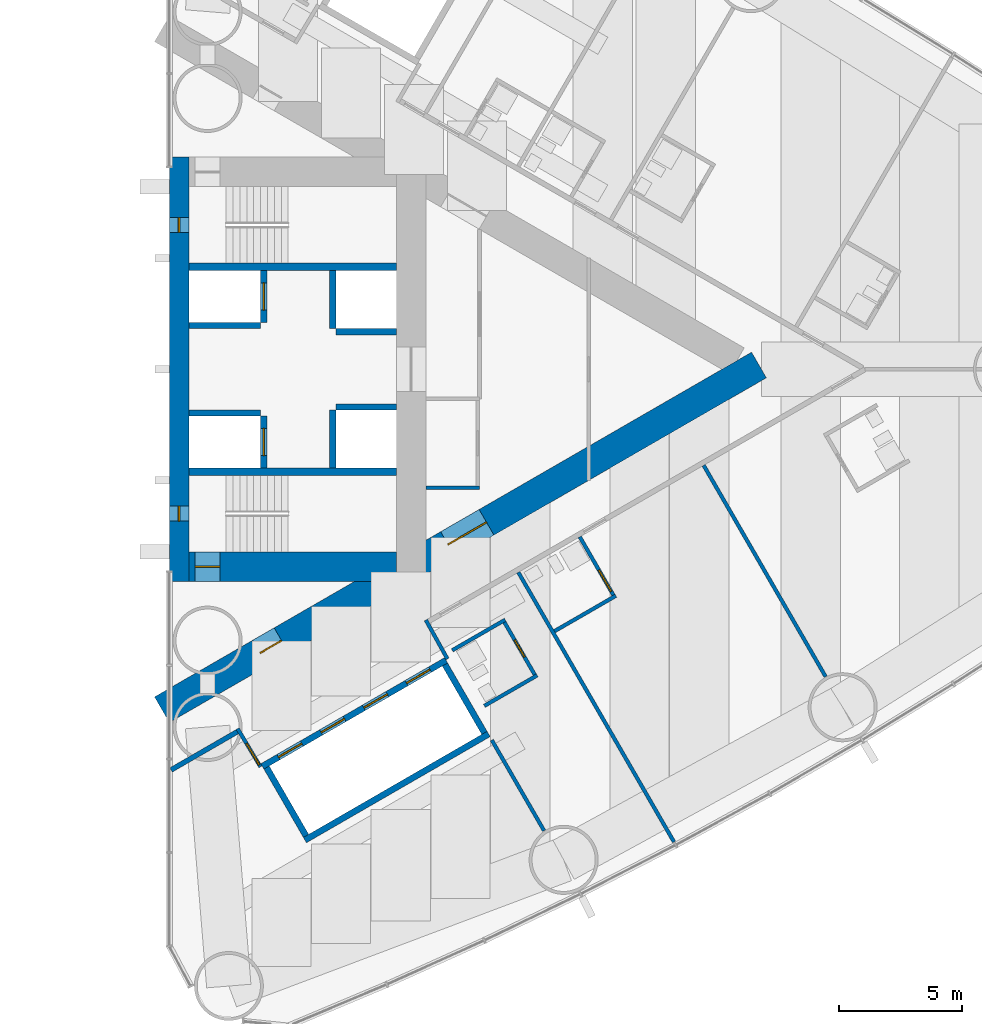
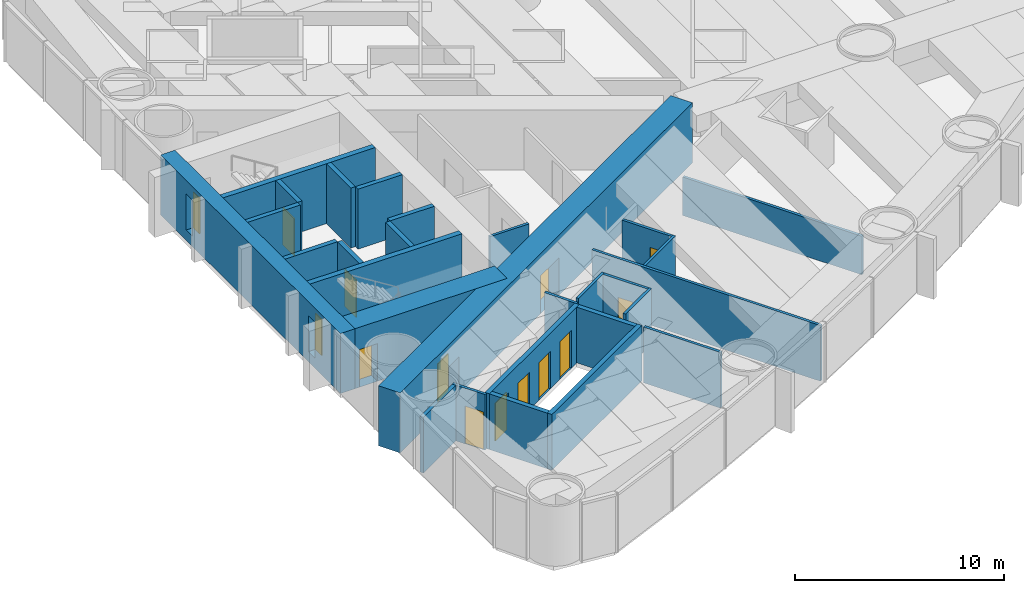
# One storey, part 13 of 18: 29 walls, 12 doors, 2 windows, 14 openings.
"""IFC4 building model written with IfcOpenShell, lengths in metres."""

import ifcopenshell
import ifcopenshell.guid

model = None  # the IFC model being written
_history = None  # IfcOwnerHistory: only IFC2X3 demands one
_inside = {}  # id of a spatial element -> (the spatial element, [elements in it])
_under = {}  # id of a project, library or spatial element -> (it, [spatial elements below it])
_declared = {}  # id of a project -> (the project, [libraries it declares])
_typed = {}  # id of a type object -> (the type object, [elements of that type])
_made_of = {}  # id of a material, layer set ... -> (it, [elements and type objects made of it])


def new_model(schema):
    """Start an empty IFC model of exactly this schema.

    Asked for "IFC4X3", IfcOpenShell would pick the latest addendum, in which some entities
    have other attributes; the version numbers below select the first issue.
    IFC2X3 requires an IfcOwnerHistory on every rooted entity: one is made here for all.
    """
    global model, _history
    if schema == "IFC4X3":
        model = ifcopenshell.file(schema_version=(4, 3, 0, 0))
    else:
        model = ifcopenshell.file(schema=schema)
    _inside.clear()
    _under.clear()
    _declared.clear()
    _typed.clear()
    _made_of.clear()
    _history = None
    if model.schema == "IFC2X3":
        org = make("IfcOrganization", Name="unknown")
        user = make(
            "IfcPersonAndOrganization",
            ThePerson=make("IfcPerson", FamilyName="unknown"),
            TheOrganization=org,
        )
        app = make(
            "IfcApplication",
            ApplicationDeveloper=org,
            Version="unknown",
            ApplicationFullName="unknown",
            ApplicationIdentifier="unknown",
        )
        _history = make(
            "IfcOwnerHistory",
            OwningUser=user,
            OwningApplication=app,
            ChangeAction="ADDED",
            CreationDate=0,
        )
    return model


def make(cls, **values):
    """One entity of the class cls with the attributes given. An attribute that is None is left unset."""
    return model.create_entity(
        cls, **{name: value for name, value in values.items() if value is not None}
    )


def rooted(cls, **values):
    """An entity with a GlobalId (a new one), such as an element, a storey or a relation."""
    return make(cls, GlobalId=ifcopenshell.guid.new(), OwnerHistory=_history, **values)


def si_unit(unit_type, name, prefix=None):
    """IfcSIUnit, for example si_unit("LENGTHUNIT", "METRE", prefix="MILLI")."""
    return make("IfcSIUnit", UnitType=unit_type, Prefix=prefix, Name=name)


def assignment(units):
    """IfcUnitAssignment: the units of a project."""
    return None if units is None else make("IfcUnitAssignment", Units=units)


def point(xyz):
    """IfcCartesianPoint."""
    return None if xyz is None else make("IfcCartesianPoint", Coordinates=xyz)


def direction(xyz):
    """IfcDirection."""
    return None if xyz is None else make("IfcDirection", DirectionRatios=xyz)


def frame(location, z_axis=None, x_axis=None):
    """IfcAxis2Placement3D, a coordinate frame: its origin and axes. An axis left out is left unset."""
    return make(
        "IfcAxis2Placement3D",
        Location=point(location),
        Axis=direction(z_axis),
        RefDirection=direction(x_axis),
    )


def frame_2d(location, x_axis=None):
    """IfcAxis2Placement2D, a coordinate frame in the plane: its origin and x axis."""
    return make(
        "IfcAxis2Placement2D", Location=point(location), RefDirection=direction(x_axis)
    )


def origin():
    """The frame at (0, 0, 0) with its axes left unset."""
    return frame((0.0, 0.0, 0.0))


def place(relative_to, where):
    """IfcLocalPlacement: puts the frame where relative to a parent placement (None: the world)."""
    return make(
        "IfcLocalPlacement", PlacementRelTo=relative_to, RelativePlacement=where
    )


def context(
    kind, dimensions, precision=None, world=None, true_north=None, identifier=None
):
    """IfcGeometricRepresentationContext, for example the 3D "Model" context."""
    return make(
        "IfcGeometricRepresentationContext",
        ContextIdentifier=identifier,
        ContextType=kind,
        CoordinateSpaceDimension=dimensions,
        Precision=precision,
        WorldCoordinateSystem=world,
        TrueNorth=true_north,
    )


def subcontext(parent, identifier, kind, view, scale=None):
    """IfcGeometricRepresentationSubContext, for example "Body" below "Model"."""
    return make(
        "IfcGeometricRepresentationSubContext",
        ContextIdentifier=identifier,
        ContextType=kind,
        ParentContext=parent,
        TargetScale=scale,
        TargetView=view,
    )


def project(units=None, contexts=None):
    """IfcProject with its units and contexts."""
    return rooted(
        "IfcProject",
        Name="project",
        RepresentationContexts=contexts,
        UnitsInContext=assignment(units),
    )


def spatial(cls, under=None, at=None, **own):
    """A site, building, storey or space (cls), placed at a placement, below another one or the project."""
    s = rooted(cls, ObjectPlacement=at, **own)
    if under is not None:
        _under.setdefault(under.id(), (under, []))[1].append(s)
    return s


def profile(cls, at=None, kind="AREA", **sizes):
    """A parametric profile (cls). Its sizes go by their IFC names, for example OverallWidth=200.0."""
    return make(cls, ProfileType=kind, Position=at, **sizes)


def rectangle(**sizes):
    """IfcRectangleProfileDef."""
    return profile("IfcRectangleProfileDef", **sizes)


def extrude(swept, where, along, depth):
    """IfcExtrudedAreaSolid: the profile swept, set in the frame where, extruded along a direction by depth."""
    return make(
        "IfcExtrudedAreaSolid",
        SweptArea=swept,
        Position=where,
        ExtrudedDirection=direction(along),
        Depth=depth,
    )


def shape(context_of_items, identifier, shape_type, items):
    """IfcShapeRepresentation: the items that make up one representation, for example the "Body"."""
    return make(
        "IfcShapeRepresentation",
        ContextOfItems=context_of_items,
        RepresentationIdentifier=identifier,
        RepresentationType=shape_type,
        Items=items,
    )


def material(Name=None, Category=None):
    """IfcMaterial."""
    return make("IfcMaterial", Name=Name, Category=Category)


def layer(
    of_material, thickness, ventilated=None, Name=None, Category=None, Priority=None
):
    """IfcMaterialLayer: one layer of a wall or slab, of a material (None: an air gap)."""
    return make(
        "IfcMaterialLayer",
        Material=of_material,
        LayerThickness=thickness,
        IsVentilated=ventilated,
        Name=Name,
        Category=Category,
        Priority=Priority,
    )


def layer_set(layers, Name=None):
    """IfcMaterialLayerSet."""
    return make("IfcMaterialLayerSet", MaterialLayers=layers, LayerSetName=Name)


def made_of(thing, what):
    """Note that an element or type object is made of a material, layer set ...; save() writes the relation."""
    if what is not None:
        _made_of.setdefault(what.id(), (what, []))[1].append(thing)
    return thing


def type_object(cls, material=None, **own):
    """A type object (cls), such as IfcWallType, which elements share."""
    return made_of(rooted(cls, **own), material)


def element(
    cls,
    number,
    at=None,
    inside=None,
    cuts=None,
    type_object=None,
    material=None,
    context=None,
    identifier="Body",
    shape_type=None,
    held_by="IfcProductDefinitionShape",
    body=None,
    shapes=None,
    **own,
):
    """One element of the class cls, such as IfcWall. Its Tag is "e" and its number.

    at: its placement. inside: the storey or other place that contains it. cuts: it is an
    opening in that element (IfcRelVoidsElement). A single representation is given by context,
    identifier, shape_type and body (its items); several are given by shapes. held_by: the class
    of the entity that holds the representations. save() writes the other relations.
    """
    e = rooted(cls, Tag="e%d" % number, ObjectPlacement=at, **own)
    if body is not None:
        shapes = [shape(context, identifier, shape_type, body)]
    if shapes is not None:
        e.Representation = make(held_by, Representations=shapes)
    if inside is not None:
        _inside.setdefault(inside.id(), (inside, []))[1].append(e)
    if cuts is not None:
        rooted(
            "IfcRelVoidsElement", RelatingBuildingElement=cuts, RelatedOpeningElement=e
        )
    if type_object is not None:
        _typed.setdefault(type_object.id(), (type_object, []))[1].append(e)
    return made_of(e, material)


def fill(opening, filler):
    """IfcRelFillsElement: the door or window that sits in an opening."""
    return rooted(
        "IfcRelFillsElement",
        RelatingOpeningElement=opening,
        RelatedBuildingElement=filler,
    )


def aggregate(whole, parts):
    """IfcRelAggregates: a whole, such as a stair, and the parts it consists of."""
    return rooted("IfcRelAggregates", RelatingObject=whole, RelatedObjects=parts)


def save(model, path):
    """Write the relations noted so far, then the file.

    IfcRelAggregates (storeys below a building ...), IfcRelContainedInSpatialStructure (elements
    in a storey), IfcRelDefinesByType, IfcRelAssociatesMaterial and IfcRelDeclares: one each for
    every whole, place, type object, material and project.
    """
    for whole, parts in _under.values():
        aggregate(whole, parts)
    for where, things in _inside.values():
        rooted(
            "IfcRelContainedInSpatialStructure",
            RelatedElements=things,
            RelatingStructure=where,
        )
    for kind, things in _typed.values():
        rooted("IfcRelDefinesByType", RelatedObjects=things, RelatingType=kind)
    for what, things in _made_of.values():
        rooted("IfcRelAssociatesMaterial", RelatedObjects=things, RelatingMaterial=what)
    for by, libraries in _declared.values():
        rooted("IfcRelDeclares", RelatingContext=by, RelatedDefinitions=libraries)
    model.write(path)


model = new_model("IFC4")

# Units and contexts
model_context = context("Model", 3, precision=1e-05, world=origin(), true_north=direction((0.0, 1.0)))
body_context = subcontext(model_context, "Body", "Model", "MODEL_VIEW")
ifc_project = project(units=[si_unit("LENGTHUNIT", "METRE"), si_unit("AREAUNIT", "SQUARE_METRE"), si_unit("VOLUMEUNIT", "CUBIC_METRE"), si_unit("PLANEANGLEUNIT", "RADIAN"), si_unit("MASSUNIT", "GRAM", prefix="KILO")], contexts=[model_context])

# Site, building, storey
site_placement = place(None, origin())
site = spatial("IfcSite", under=ifc_project, at=site_placement, CompositionType="ELEMENT")
building_placement = place(site_placement, origin())
building = spatial("IfcBuilding", under=site, at=building_placement, Name="Lancet Gate Hotel", CompositionType="ELEMENT")
storey_placement = place(building_placement, frame((0.0, 0.0, 46.0)))
storey = spatial("IfcBuildingStorey", under=building, at=storey_placement, Name="L11", CompositionType="ELEMENT", Elevation=46.0)

# Wall
ifc_material_1 = material(Name="Moisture resistant board partition")
ifc_layer_1 = layer(ifc_material_1, 0.14990234375)
ifc_layer_set_1 = layer_set([ifc_layer_1], Name="Bathroom wall 150")
wall_type_1 = type_object("IfcWallType", Name="Bathroom wall 150", PredefinedType="PARTITIONING", material=ifc_layer_set_1)
wall_1_placement = place(storey_placement, frame((43.1123046875, -10.617431640625, 0.0), z_axis=(0.0, 0.0, 1.0), x_axis=(0.866018712932, 0.500011588718, 0.0)))
element("IfcWall", 1, at=wall_1_placement, inside=storey, type_object=wall_type_1, Name="T2 bathroom wall 150 L11", PredefinedType="PARTITIONING", context=body_context, shape_type="SweptSolid", body=[
    extrude(rectangle(XDim=2.875, YDim=0.14990234375, at=frame_2d((1.4375, 0.0))), origin(), (0.0, 0.0, 1.0), 3.25),
])

# Wall, opening, door
wall_2_placement = place(storey_placement, frame((44.13720703125, -6.79248046875, 0.0), z_axis=(0.0, 0.0, 1.0), x_axis=(0.49994636267, -0.866056369097, 0.0)))
wall_2 = element("IfcWall", 2, at=wall_2_placement, inside=storey, type_object=wall_type_1, Name="T2 bathroom wall 150 L11", PredefinedType="PARTITIONING", context=body_context, shape_type="SweptSolid", body=[
    extrude(rectangle(XDim=2.800048828125, YDim=0.14990234375, at=frame_2d((1.39990234375, 0.0))), origin(), (0.0, 0.0, 1.0), 3.25),
])
opening_1_placement = place(wall_2_placement, frame((1.550048828125, 0.0, 0.0)))
opening_1 = element("IfcOpeningElement", 3, at=opening_1_placement, cuts=wall_2, Name="Opening 1154-B", PredefinedType="OPENING", context=body_context, shape_type="SweptSolid", body=[
    extrude(rectangle(XDim=1.0, YDim=2.199951171875, at=frame_2d((0.5, 1.10009765625))), frame((0.0, 0.0849609375, 0.0), z_axis=(0.0, -1.0, 0.0), x_axis=(1.0, 0.0, 0.0)), (0.0, 0.0, 1.0), 0.169921875),
])
ifc_material_2 = material(Name="Timber door set", Category="wood")
door_type_1 = type_object("IfcDoorType", Name="Accessible en-suite door 1000", OperationType="SINGLE_SWING_RIGHT", PredefinedType="DOOR", material=ifc_material_2)
door_1_placement = place(opening_1_placement, origin())
door_1 = element("IfcDoor", 4, at=door_1_placement, inside=storey, type_object=door_type_1, Name="1154-B", OperationType="SINGLE_SWING_RIGHT", OverallHeight=2.199951171875, OverallWidth=1.0, PredefinedType="DOOR", context=body_context, shape_type="SweptSolid", body=[
    extrude(rectangle(XDim=1.0, YDim=2.199951171875, at=frame_2d((0.5, 1.10009765625))), frame((0.0, 0.02490234375, 0.0), z_axis=(0.0, -1.0, 0.0), x_axis=(1.0, 0.0, 0.0)), (0.0, 0.0, 1.0), 0.050048828125),
])
fill(opening_1, door_1)

# Wall
wall_3_placement = place(storey_placement, frame((40.269775390625, -13.644287109375, 0.0), z_axis=(0.0, 0.0, 1.0), x_axis=(0.866031185235, 0.4999899861, 0.0)))
element("IfcWall", 5, at=wall_3_placement, inside=storey, type_object=wall_type_1, Name="T2 bathroom wall 150 L11", PredefinedType="PARTITIONING", context=body_context, shape_type="SweptSolid", body=[
    extrude(rectangle(XDim=2.47509765625, YDim=0.14990234375, at=frame_2d((1.237548828125, 0.0))), origin(), (0.0, 0.0, 1.0), 3.25),
])

# Wall, opening, door
wall_4_placement = place(storey_placement, frame((41.04833984375, -10.192626953125, 0.0), z_axis=(0.0, 0.0, 1.0), x_axis=(0.500047596559, -0.865997922154, 0.0)))
wall_4 = element("IfcWall", 6, at=wall_4_placement, inside=storey, type_object=wall_type_1, Name="T2 bathroom wall 150 L11", PredefinedType="PARTITIONING", context=body_context, shape_type="SweptSolid", body=[
    extrude(rectangle(XDim=2.599853515625, YDim=0.14990234375, at=frame_2d((1.2998046875, 0.0))), origin(), (0.0, 0.0, 1.0), 3.25),
])
opening_2_placement = place(wall_4_placement, frame((0.89990234375, 0.0, 0.0)))
opening_2 = element("IfcOpeningElement", 7, at=opening_2_placement, cuts=wall_4, Name="Opening 1153-B", PredefinedType="OPENING", context=body_context, shape_type="SweptSolid", body=[
    extrude(rectangle(XDim=0.800048828125, YDim=2.199951171875, at=frame_2d((0.39990234375, 1.10009765625))), frame((0.0, 0.0849609375, 0.0), z_axis=(0.0, -1.0, 0.0), x_axis=(1.0, 0.0, 0.0)), (0.0, 0.0, 1.0), 0.169921875),
])
ifc_material_3 = material(Name="Timber door set", Category="wood")
door_type_2 = type_object("IfcDoorType", Name="Bathroom door 800", OperationType="SINGLE_SWING_RIGHT", PredefinedType="DOOR", material=ifc_material_3)
door_2_placement = place(opening_2_placement, origin())
door_2 = element("IfcDoor", 8, at=door_2_placement, inside=storey, type_object=door_type_2, Name="1153-B", OperationType="SINGLE_SWING_RIGHT", OverallHeight=2.199951171875, OverallWidth=0.800048828125, PredefinedType="DOOR", context=body_context, shape_type="SweptSolid", body=[
    extrude(rectangle(XDim=0.800048828125, YDim=2.199951171875, at=frame_2d((0.39990234375, 1.10009765625))), frame((0.0, 0.02490234375, 0.0), z_axis=(0.0, -1.0, 0.0), x_axis=(1.0, 0.0, 0.0)), (0.0, 0.0, 1.0), 0.050048828125),
])
fill(opening_2, door_2)

# Wall
wall_5_placement = place(storey_placement, frame((38.9697265625, -11.392578125, 0.0), z_axis=(0.0, 0.0, 1.0), x_axis=(0.866031185235, 0.4999899861, 0.0)))
element("IfcWall", 9, at=wall_5_placement, inside=storey, type_object=wall_type_1, Name="T2 bathroom wall 150 L11", PredefinedType="PARTITIONING", context=body_context, shape_type="SweptSolid", body=[
    extrude(rectangle(XDim=2.47509765625, YDim=0.14990234375, at=frame_2d((1.237548828125, 0.0))), origin(), (0.0, 0.0, 1.0), 3.25),
])

# Wall, openings, doors
ifc_material_4 = material(Name="Concrete C70/85", Category="concrete")
ifc_layer_2 = layer(ifc_material_4, 1.199951171875)
ifc_layer_set_2 = layer_set([ifc_layer_2], Name="Buttress wall 1200")
wall_type_2 = type_object("IfcWallType", Name="Buttress wall 1200", PredefinedType="SHEAR", material=ifc_layer_set_2)
wall_6_placement = place(storey_placement, frame((27.199951171875, -13.800048828125, 0.0), z_axis=(0.0, 0.0, 1.0), x_axis=(0.866027159892, 0.499996958321, 0.0)))
wall_6 = element("IfcWall", 10, at=wall_6_placement, inside=storey, type_object=wall_type_2, Name="T2 buttress wall S L11", PredefinedType="SHEAR", context=body_context, shape_type="SweptSolid", body=[
    extrude(rectangle(XDim=27.946533203125, YDim=1.199951171875, at=frame_2d((13.97314453125, 0.0))), origin(), (0.0, 0.0, 1.0), 3.5),
])
opening_3_placement = place(wall_6_placement, frame((4.60009765625, 0.0, 0.0)))
opening_3 = element("IfcOpeningElement", 11, at=opening_3_placement, cuts=wall_6, Name="Opening T2-L11-LS", PredefinedType="OPENING", context=body_context, shape_type="SweptSolid", body=[
    extrude(rectangle(XDim=1.0, YDim=2.199951171875, at=frame_2d((0.5, 1.10009765625))), frame((0.0, 0.60986328125, 0.0), z_axis=(0.0, -1.0, 0.0), x_axis=(1.0, 0.0, 0.0)), (0.0, 0.0, 1.0), 1.219970703125),
])
opening_4_placement = place(wall_6_placement, frame((13.39453125, 0.0, 0.0)))
opening_4 = element("IfcOpeningElement", 12, at=opening_4_placement, cuts=wall_6, Name="Opening T2-L11-LHS", PredefinedType="OPENING", context=body_context, shape_type="SweptSolid", body=[
    extrude(rectangle(XDim=1.800048828125, YDim=2.199951171875, at=frame_2d((0.89990234375, 1.10009765625))), frame((0.0, 0.60986328125, 0.0), z_axis=(0.0, -1.0, 0.0), x_axis=(1.0, 0.0, 0.0)), (0.0, 0.0, 1.0), 1.219970703125),
])
ifc_material_5 = material(Name="Timber door set", Category="wood")
door_type_3 = type_object("IfcDoorType", Name="Lobby double door 1800", OperationType="DOUBLE_DOOR_SINGLE_SWING", PredefinedType="DOOR", material=ifc_material_5)
door_3_placement = place(opening_4_placement, origin())
door_3 = element("IfcDoor", 13, at=door_3_placement, inside=storey, type_object=door_type_3, Name="T2-L11-LHS", OperationType="DOUBLE_DOOR_SINGLE_SWING", OverallHeight=2.199951171875, OverallWidth=1.800048828125, PredefinedType="DOOR", context=body_context, shape_type="SweptSolid", body=[
    extrude(rectangle(XDim=1.800048828125, YDim=2.199951171875, at=frame_2d((0.89990234375, 1.10009765625))), frame((0.0, 0.02490234375, 0.0), z_axis=(0.0, -1.0, 0.0), x_axis=(1.0, 0.0, 0.0)), (0.0, 0.0, 1.0), 0.050048828125),
])
fill(opening_4, door_3)
ifc_material_6 = material(Name="Timber door set", Category="wood")
door_type_4 = type_object("IfcDoorType", Name="Stair lobby door 1000", OperationType="SINGLE_SWING_LEFT", PredefinedType="DOOR", material=ifc_material_6)
door_4_placement = place(opening_3_placement, origin())
door_4 = element("IfcDoor", 14, at=door_4_placement, inside=storey, type_object=door_type_4, Name="T2-L11-LS", OperationType="SINGLE_SWING_LEFT", OverallHeight=2.199951171875, OverallWidth=1.0, PredefinedType="DOOR", context=body_context, shape_type="SweptSolid", body=[
    extrude(rectangle(XDim=1.0, YDim=2.199951171875, at=frame_2d((0.5, 1.10009765625))), frame((0.0, 0.02490234375, 0.0), z_axis=(0.0, -1.0, 0.0), x_axis=(1.0, 0.0, 0.0)), (0.0, 0.0, 1.0), 0.050048828125),
])
fill(opening_3, door_4)

# Wall, opening, door
ifc_material_7 = material(Name="Concrete C70/85", Category="concrete")
ifc_layer_3 = layer(ifc_material_7, 1.199951171875)
ifc_layer_set_3 = layer_set([ifc_layer_3], Name="Core wall 1200")
wall_type_3 = type_object("IfcWallType", Name="Core wall 1200", PredefinedType="SHEAR", material=ifc_layer_set_3)
wall_7_placement = place(storey_placement, frame((28.300048828125, -8.0, 0.0), z_axis=(0.0, 0.0, 1.0), x_axis=(1.0, 0.0, 0.0)))
wall_7 = element("IfcWall", 15, at=wall_7_placement, inside=storey, type_object=wall_type_3, Name="T2 core wall side-S L11", PredefinedType="SHEAR", context=body_context, shape_type="SweptSolid", body=[
    extrude(rectangle(XDim=8.39990234375, YDim=1.199951171875, at=frame_2d((4.199951171875, 0.0))), origin(), (0.0, 0.0, 1.0), 3.5),
])
opening_5_placement = place(wall_7_placement, frame((0.25, 0.0, 0.0)))
opening_5 = element("IfcOpeningElement", 16, at=opening_5_placement, cuts=wall_7, Name="Opening T2-L11-ST1", PredefinedType="OPENING", context=body_context, shape_type="SweptSolid", body=[
    extrude(rectangle(XDim=1.0, YDim=2.199951171875, at=frame_2d((0.5, 1.10009765625))), frame((0.0, 0.60986328125, 0.0), z_axis=(0.0, -1.0, 0.0), x_axis=(1.0, 0.0, 0.0)), (0.0, 0.0, 1.0), 1.219970703125),
])
ifc_material_8 = material(Name="Timber door set", Category="wood")
door_type_5 = type_object("IfcDoorType", Name="Stair door 1000", OperationType="SINGLE_SWING_RIGHT", PredefinedType="DOOR", material=ifc_material_8)
door_5_placement = place(opening_5_placement, origin())
door_5 = element("IfcDoor", 17, at=door_5_placement, inside=storey, type_object=door_type_5, Name="T2-L11-ST1", OperationType="SINGLE_SWING_RIGHT", OverallHeight=2.199951171875, OverallWidth=1.0, PredefinedType="DOOR", context=body_context, shape_type="SweptSolid", body=[
    extrude(rectangle(XDim=1.0, YDim=2.199951171875, at=frame_2d((0.5, 1.10009765625))), frame((0.0, 0.02490234375, 0.0), z_axis=(0.0, -1.0, 0.0), x_axis=(1.0, 0.0, 0.0)), (0.0, 0.0, 1.0), 0.050048828125),
])
fill(opening_5, door_5)

# Wall, openings, windows
ifc_material_9 = material(Name="Concrete C70/85", Category="concrete")
ifc_layer_4 = layer(ifc_material_9, 0.800048828125)
ifc_layer_set_4 = layer_set([ifc_layer_4], Name="Core wall 800")
wall_type_4 = type_object("IfcWallType", Name="Core wall 800", PredefinedType="SHEAR", material=ifc_layer_set_4)
wall_8_placement = place(storey_placement, frame((27.89990234375, -8.60009765625, 0.0), z_axis=(0.0, 0.0, 1.0), x_axis=(0.0, 1.0, 0.0)))
wall_8 = element("IfcWall", 18, at=wall_8_placement, inside=storey, type_object=wall_type_4, Name="T2 core wall front L11", PredefinedType="SHEAR", context=body_context, shape_type="SweptSolid", body=[
    extrude(rectangle(XDim=17.2001953125, YDim=0.800048828125, at=frame_2d((8.60009765625, 0.0))), origin(), (0.0, 0.0, 1.0), 3.5),
])
opening_6_placement = place(wall_8_placement, frame((2.449951171875, 0.0, 0.60009765625)))
opening_6 = element("IfcOpeningElement", 19, at=opening_6_placement, cuts=wall_8, Name="Opening LW1", PredefinedType="OPENING", context=body_context, shape_type="SweptSolid", body=[
    extrude(rectangle(XDim=0.60009765625, YDim=2.10009765625, at=frame_2d((0.300048828125, 1.050048828125))), frame((0.0, 0.409912109375, 0.0), z_axis=(0.0, -1.0, 0.0), x_axis=(1.0, 0.0, 0.0)), (0.0, 0.0, 1.0), 0.820068359375),
])
opening_7_placement = place(wall_8_placement, frame((14.14990234375, 0.0, 0.60009765625)))
opening_7 = element("IfcOpeningElement", 20, at=opening_7_placement, cuts=wall_8, Name="Opening LW1", PredefinedType="OPENING", context=body_context, shape_type="SweptSolid", body=[
    extrude(rectangle(XDim=0.60009765625, YDim=2.10009765625, at=frame_2d((0.300048828125, 1.050048828125))), frame((0.0, 0.409912109375, 0.0), z_axis=(0.0, -1.0, 0.0), x_axis=(1.0, 0.0, 0.0)), (0.0, 0.0, 1.0), 0.820068359375),
])
ifc_material_10 = material(Name="Fire-resisting glazed steel window", Category="steel")
window_type = type_object("IfcWindowType", Name="Lancet window 600x2100", PartitioningType="SINGLE_PANEL", PredefinedType="WINDOW", material=ifc_material_10)
window_1_placement = place(opening_6_placement, origin())
window_1 = element("IfcWindow", 21, at=window_1_placement, inside=storey, type_object=window_type, Name="T2 stair window S L11", OverallHeight=2.10009765625, OverallWidth=0.60009765625, PartitioningType="SINGLE_PANEL", PredefinedType="WINDOW", context=body_context, shape_type="SweptSolid", body=[
    extrude(rectangle(XDim=0.60009765625, YDim=2.10009765625, at=frame_2d((0.300048828125, 1.050048828125))), frame((0.0, 0.030029296875, 0.0), z_axis=(0.0, -1.0, 0.0), x_axis=(1.0, 0.0, 0.0)), (0.0, 0.0, 1.0), 0.06005859375),
])
fill(opening_6, window_1)
window_2_placement = place(opening_7_placement, origin())
window_2 = element("IfcWindow", 22, at=window_2_placement, inside=storey, type_object=window_type, Name="T2 stair window N L11", OverallHeight=2.10009765625, OverallWidth=0.60009765625, PartitioningType="SINGLE_PANEL", PredefinedType="WINDOW", context=body_context, shape_type="SweptSolid", body=[
    extrude(rectangle(XDim=0.60009765625, YDim=2.10009765625, at=frame_2d((0.300048828125, 1.050048828125))), frame((0.0, 0.030029296875, 0.0), z_axis=(0.0, -1.0, 0.0), x_axis=(1.0, 0.0, 0.0)), (0.0, 0.0, 1.0), 0.06005859375),
])
fill(opening_7, window_2)

# Wall
ifc_material_11 = material(Name="Gypsum board partition")
ifc_layer_5 = layer(ifc_material_11, 0.199951171875)
ifc_layer_set_5 = layer_set([ifc_layer_5], Name="Corridor wall 200")
wall_type_5 = type_object("IfcWallType", Name="Corridor wall 200", PredefinedType="PARTITIONING", material=ifc_layer_set_5)
wall_9_placement = place(storey_placement, frame((27.572021484375, -16.240966796875, 0.0), z_axis=(0.0, 0.0, 1.0), x_axis=(0.866029654818, 0.499992636921, 0.0)))
element("IfcWall", 23, at=wall_9_placement, inside=storey, type_object=wall_type_5, Name="T2 corridor wall 200 L11", PredefinedType="PARTITIONING", context=body_context, shape_type="SweptSolid", body=[
    extrude(rectangle(XDim=3.15478515625, YDim=0.199951171875, at=frame_2d((1.577392578125, 0.0))), origin(), (0.0, 0.0, 1.0), 3.25),
])

# Wall, openings, doors
ifc_material_12 = material(Name="Gypsum board partition")
ifc_layer_6 = layer(ifc_material_12, 0.25)
ifc_layer_set_6 = layer_set([ifc_layer_6], Name="Lift shaft partition 250")
wall_type_6 = type_object("IfcWallType", Name="Lift shaft partition 250", PredefinedType="PARTITIONING", material=ifc_layer_set_6)
wall_10_placement = place(storey_placement, frame((31.2705078125, -16.09716796875, 0.0), z_axis=(0.0, 0.0, 1.0), x_axis=(0.86604045752, 0.499973925258, 0.0)))
wall_10 = element("IfcWall", 24, at=wall_10_placement, inside=storey, type_object=wall_type_6, Name="T2 lift shaft wall LR L11", PredefinedType="PARTITIONING", context=body_context, shape_type="SweptSolid", body=[
    extrude(rectangle(XDim=8.60009765625, YDim=0.25, at=frame_2d((4.300048828125, 0.0))), origin(), (0.0, 0.0, 1.0), 3.25),
])
opening_8_placement = place(wall_10_placement, frame((0.75, 0.0, 0.0)))
opening_8 = element("IfcOpeningElement", 25, at=opening_8_placement, cuts=wall_10, Name="Opening T2-LR1-L11", PredefinedType="OPENING", context=body_context, shape_type="SweptSolid", body=[
    extrude(rectangle(XDim=1.10009765625, YDim=2.199951171875, at=frame_2d((0.550048828125, 1.10009765625))), frame((0.0, 0.135009765625, 0.0), z_axis=(0.0, -1.0, 0.0), x_axis=(1.0, 0.0, 0.0)), (0.0, 0.0, 1.0), 0.27001953125),
])
opening_9_placement = place(wall_10_placement, frame((2.75, 0.0, 0.0)))
opening_9 = element("IfcOpeningElement", 26, at=opening_9_placement, cuts=wall_10, Name="Opening T2-LR2-L11", PredefinedType="OPENING", context=body_context, shape_type="SweptSolid", body=[
    extrude(rectangle(XDim=1.10009765625, YDim=2.199951171875, at=frame_2d((0.550048828125, 1.10009765625))), frame((0.0, 0.135009765625, 0.0), z_axis=(0.0, -1.0, 0.0), x_axis=(1.0, 0.0, 0.0)), (0.0, 0.0, 1.0), 0.27001953125),
])
opening_10_placement = place(wall_10_placement, frame((4.75, 0.0, 0.0)))
opening_10 = element("IfcOpeningElement", 27, at=opening_10_placement, cuts=wall_10, Name="Opening T2-LR3-L11", PredefinedType="OPENING", context=body_context, shape_type="SweptSolid", body=[
    extrude(rectangle(XDim=1.10009765625, YDim=2.199951171875, at=frame_2d((0.550048828125, 1.10009765625))), frame((0.0, 0.135009765625, 0.0), z_axis=(0.0, -1.0, 0.0), x_axis=(1.0, 0.0, 0.0)), (0.0, 0.0, 1.0), 0.27001953125),
])
opening_11_placement = place(wall_10_placement, frame((6.75, 0.0, 0.0)))
opening_11 = element("IfcOpeningElement", 28, at=opening_11_placement, cuts=wall_10, Name="Opening T2-LR4-L11", PredefinedType="OPENING", context=body_context, shape_type="SweptSolid", body=[
    extrude(rectangle(XDim=1.10009765625, YDim=2.199951171875, at=frame_2d((0.550048828125, 1.10009765625))), frame((0.0, 0.135009765625, 0.0), z_axis=(0.0, -1.0, 0.0), x_axis=(1.0, 0.0, 0.0)), (0.0, 0.0, 1.0), 0.27001953125),
])
ifc_material_13 = material(Name="Steel door set", Category="steel")
door_type_6 = type_object("IfcDoorType", Name="Lift landing door 1100", OperationType="DOUBLE_DOOR_SLIDING", PredefinedType="USERDEFINED", material=ifc_material_13)
door_6_placement = place(opening_8_placement, origin())
door_6 = element("IfcDoor", 29, at=door_6_placement, inside=storey, type_object=door_type_6, Name="T2-LR1-L11", ObjectType="LIFT LANDING DOOR", OperationType="DOUBLE_DOOR_SLIDING", OverallHeight=2.199951171875, OverallWidth=1.10009765625, PredefinedType="USERDEFINED", context=body_context, shape_type="SweptSolid", body=[
    extrude(rectangle(XDim=1.10009765625, YDim=2.199951171875, at=frame_2d((0.550048828125, 1.10009765625))), frame((0.0, 0.02490234375, 0.0), z_axis=(0.0, -1.0, 0.0), x_axis=(1.0, 0.0, 0.0)), (0.0, 0.0, 1.0), 0.050048828125),
])
fill(opening_8, door_6)
door_7_placement = place(opening_9_placement, origin())
door_7 = element("IfcDoor", 30, at=door_7_placement, inside=storey, type_object=door_type_6, Name="T2-LR2-L11", ObjectType="LIFT LANDING DOOR", OperationType="DOUBLE_DOOR_SLIDING", OverallHeight=2.199951171875, OverallWidth=1.10009765625, PredefinedType="USERDEFINED", context=body_context, shape_type="SweptSolid", body=[
    extrude(rectangle(XDim=1.10009765625, YDim=2.199951171875, at=frame_2d((0.550048828125, 1.10009765625))), frame((0.0, 0.02490234375, 0.0), z_axis=(0.0, -1.0, 0.0), x_axis=(1.0, 0.0, 0.0)), (0.0, 0.0, 1.0), 0.050048828125),
])
fill(opening_9, door_7)
door_8_placement = place(opening_10_placement, origin())
door_8 = element("IfcDoor", 31, at=door_8_placement, inside=storey, type_object=door_type_6, Name="T2-LR3-L11", ObjectType="LIFT LANDING DOOR", OperationType="DOUBLE_DOOR_SLIDING", OverallHeight=2.199951171875, OverallWidth=1.10009765625, PredefinedType="USERDEFINED", context=body_context, shape_type="SweptSolid", body=[
    extrude(rectangle(XDim=1.10009765625, YDim=2.199951171875, at=frame_2d((0.550048828125, 1.10009765625))), frame((0.0, 0.02490234375, 0.0), z_axis=(0.0, -1.0, 0.0), x_axis=(1.0, 0.0, 0.0)), (0.0, 0.0, 1.0), 0.050048828125),
])
fill(opening_10, door_8)
door_9_placement = place(opening_11_placement, origin())
door_9 = element("IfcDoor", 32, at=door_9_placement, inside=storey, type_object=door_type_6, Name="T2-LR4-L11", ObjectType="LIFT LANDING DOOR", OperationType="DOUBLE_DOOR_SLIDING", OverallHeight=2.199951171875, OverallWidth=1.10009765625, PredefinedType="USERDEFINED", context=body_context, shape_type="SweptSolid", body=[
    extrude(rectangle(XDim=1.10009765625, YDim=2.199951171875, at=frame_2d((0.550048828125, 1.10009765625))), frame((0.0, 0.02490234375, 0.0), z_axis=(0.0, -1.0, 0.0), x_axis=(1.0, 0.0, 0.0)), (0.0, 0.0, 1.0), 0.050048828125),
])
fill(opening_11, door_9)

# Walls
wall_11_placement = place(storey_placement, frame((32.99560546875, -19.085693359375, 0.0), z_axis=(0.0, 0.0, 1.0), x_axis=(0.866028165386, 0.499995216735, 0.0)))
element("IfcWall", 33, at=wall_11_placement, inside=storey, type_object=wall_type_6, Name="T2 lift shaft wall LR L11", PredefinedType="PARTITIONING", context=body_context, shape_type="SweptSolid", body=[
    extrude(rectangle(XDim=8.60009765625, YDim=0.25, at=frame_2d((4.300048828125, 0.0))), origin(), (0.0, 0.0, 1.0), 3.25),
])
for number, where, z_axis, x_axis, name in (
    (34, (31.441162109375, -16.14306640625, 0.0), (0.0, 0.0, 1.0), (0.499929347863, -0.866066190972, 0.0), "T2 lift shaft wall LR L11"),
    (35, (38.672607421875, -11.968017578125, 0.0), (0.0, 0.0, 1.0), (0.499929347863, -0.866066190972, 0.0), "T2 lift shaft wall LR L11"),
):
    element("IfcWall", number, at=place(storey_placement, frame(where, z_axis=z_axis, x_axis=x_axis)), inside=storey, type_object=wall_type_6, Name=name, PredefinedType="PARTITIONING", context=body_context, shape_type="SweptSolid", body=[
        extrude(rectangle(XDim=3.20068359375, YDim=0.25, at=frame_2d((1.600341796875, 0.0))), origin(), (0.0, 0.0, 1.0), 3.25),
    ])

# Wall, opening, door
ifc_material_14 = material(Name="Concrete C50/60", Category="concrete")
ifc_layer_7 = layer(ifc_material_14, 0.25)
ifc_layer_set_7 = layer_set([ifc_layer_7], Name="Lift shaft wall 250")
wall_type_7 = type_object("IfcWallType", Name="Lift shaft wall 250", PredefinedType="SHEAR", material=ifc_layer_set_7)
wall_12_placement = place(storey_placement, frame((31.324951171875, -4.0, 0.0), z_axis=(0.0, 0.0, 1.0), x_axis=(0.0, 1.0, 0.0)))
wall_12 = element("IfcWall", 36, at=wall_12_placement, inside=storey, type_object=wall_type_7, Name="T2 core wall row1-S L11", PredefinedType="SHEAR", context=body_context, shape_type="SweptSolid", body=[
    extrude(rectangle(XDim=2.10009765625, YDim=0.25, at=frame_2d((1.050048828125, 0.0))), origin(), (0.0, 0.0, 1.0), 3.5),
])
opening_12_placement = place(wall_12_placement, frame((0.5, 0.0, 0.0)))
opening_12 = element("IfcOpeningElement", 37, at=opening_12_placement, cuts=wall_12, Name="Opening T2-SL1-L11", PredefinedType="OPENING", context=body_context, shape_type="SweptSolid", body=[
    extrude(rectangle(XDim=1.10009765625, YDim=2.199951171875, at=frame_2d((0.550048828125, 1.10009765625))), frame((0.0, 0.135009765625, 0.0), z_axis=(0.0, -1.0, 0.0), x_axis=(1.0, 0.0, 0.0)), (0.0, 0.0, 1.0), 0.27001953125),
])
ifc_material_15 = material(Name="Timber door set", Category="wood")
door_type_7 = type_object("IfcDoorType", Name="Service lift landing door 1100", OperationType="SLIDING_TO_LEFT", PredefinedType="USERDEFINED", material=ifc_material_15)
door_10_placement = place(opening_12_placement, origin())
door_10 = element("IfcDoor", 38, at=door_10_placement, inside=storey, type_object=door_type_7, Name="T2-SL1-L11", ObjectType="LIFT LANDING DOOR", OperationType="SLIDING_TO_LEFT", OverallHeight=2.199951171875, OverallWidth=1.10009765625, PredefinedType="USERDEFINED", context=body_context, shape_type="SweptSolid", body=[
    extrude(rectangle(XDim=1.10009765625, YDim=2.199951171875, at=frame_2d((0.550048828125, 1.10009765625))), frame((0.0, 0.02490234375, 0.0), z_axis=(0.0, -1.0, 0.0), x_axis=(1.0, 0.0, 0.0)), (0.0, 0.0, 1.0), 0.050048828125),
])
fill(opening_12, door_10)

# Walls
wall_13_placement = place(storey_placement, frame((34.125, -4.0, 0.0), z_axis=(0.0, 0.0, 1.0), x_axis=(0.0, 1.0, 0.0)))
element("IfcWall", 39, at=wall_13_placement, inside=storey, type_object=wall_type_7, Name="T2 core wall row2-S L11", PredefinedType="SHEAR", context=body_context, shape_type="SweptSolid", body=[
    extrude(rectangle(XDim=2.35009765625, YDim=0.25, at=frame_2d((1.175048828125, 0.0))), origin(), (0.0, 0.0, 1.0), 3.5),
])
wall_14_placement = place(storey_placement, frame((28.300048828125, -1.77490234375, 0.0), z_axis=(0.0, 0.0, 1.0), x_axis=(1.0, 0.0, 0.0)))
element("IfcWall", 40, at=wall_14_placement, inside=storey, type_object=wall_type_7, Name="T2 core wall pass1-S L11", PredefinedType="SHEAR", context=body_context, shape_type="SweptSolid", body=[
    extrude(rectangle(XDim=2.89990234375, YDim=0.25, at=frame_2d((1.449951171875, 0.0))), origin(), (0.0, 0.0, 1.0), 3.5),
])
wall_15_placement = place(storey_placement, frame((34.25, -1.52490234375, 0.0), z_axis=(0.0, 0.0, 1.0), x_axis=(1.0, 0.0, 0.0)))
element("IfcWall", 41, at=wall_15_placement, inside=storey, type_object=wall_type_7, Name="T2 core wall pass2-S L11", PredefinedType="SHEAR", context=body_context, shape_type="SweptSolid", body=[
    extrude(rectangle(XDim=2.449951171875, YDim=0.25, at=frame_2d((1.22509765625, 0.0))), origin(), (0.0, 0.0, 1.0), 3.5),
])

# Wall, opening, door
wall_16_placement = place(storey_placement, frame((31.324951171875, 1.89990234375, 0.0), z_axis=(0.0, 0.0, 1.0), x_axis=(0.0, 1.0, 0.0)))
wall_16 = element("IfcWall", 42, at=wall_16_placement, inside=storey, type_object=wall_type_7, Name="T2 core wall row1-N L11", PredefinedType="SHEAR", context=body_context, shape_type="SweptSolid", body=[
    extrude(rectangle(XDim=2.10009765625, YDim=0.25, at=frame_2d((1.050048828125, 0.0))), origin(), (0.0, 0.0, 1.0), 3.5),
])
opening_13_placement = place(wall_16_placement, frame((0.5, 0.0, 0.0)))
opening_13 = element("IfcOpeningElement", 43, at=opening_13_placement, cuts=wall_16, Name="Opening T2-FL2-L11", PredefinedType="OPENING", context=body_context, shape_type="SweptSolid", body=[
    extrude(rectangle(XDim=1.10009765625, YDim=2.199951171875, at=frame_2d((0.550048828125, 1.10009765625))), frame((0.0, 0.135009765625, 0.0), z_axis=(0.0, -1.0, 0.0), x_axis=(1.0, 0.0, 0.0)), (0.0, 0.0, 1.0), 0.27001953125),
])
ifc_material_16 = material(Name="Steel door set", Category="steel")
door_type_8 = type_object("IfcDoorType", Name="Firefighting lift landing door 1100", OperationType="SLIDING_TO_LEFT", PredefinedType="USERDEFINED", material=ifc_material_16)
door_11_placement = place(opening_13_placement, origin())
door_11 = element("IfcDoor", 44, at=door_11_placement, inside=storey, type_object=door_type_8, Name="T2-FL2-L11", ObjectType="LIFT LANDING DOOR", OperationType="SLIDING_TO_LEFT", OverallHeight=2.199951171875, OverallWidth=1.10009765625, PredefinedType="USERDEFINED", context=body_context, shape_type="SweptSolid", body=[
    extrude(rectangle(XDim=1.10009765625, YDim=2.199951171875, at=frame_2d((0.550048828125, 1.10009765625))), frame((0.0, 0.02490234375, 0.0), z_axis=(0.0, -1.0, 0.0), x_axis=(1.0, 0.0, 0.0)), (0.0, 0.0, 1.0), 0.050048828125),
])
fill(opening_13, door_11)

# Walls
wall_17_placement = place(storey_placement, frame((34.125, 1.64990234375, 0.0), z_axis=(0.0, 0.0, 1.0), x_axis=(0.0, 1.0, 0.0)))
element("IfcWall", 45, at=wall_17_placement, inside=storey, type_object=wall_type_7, Name="T2 core wall row2-N L11", PredefinedType="SHEAR", context=body_context, shape_type="SweptSolid", body=[
    extrude(rectangle(XDim=2.35009765625, YDim=0.25, at=frame_2d((1.175048828125, 0.0))), origin(), (0.0, 0.0, 1.0), 3.5),
])
wall_18_placement = place(storey_placement, frame((28.300048828125, 1.77490234375, 0.0), z_axis=(0.0, 0.0, 1.0), x_axis=(1.0, 0.0, 0.0)))
element("IfcWall", 46, at=wall_18_placement, inside=storey, type_object=wall_type_7, Name="T2 core wall pass1-N L11", PredefinedType="SHEAR", context=body_context, shape_type="SweptSolid", body=[
    extrude(rectangle(XDim=2.89990234375, YDim=0.25, at=frame_2d((1.449951171875, 0.0))), origin(), (0.0, 0.0, 1.0), 3.5),
])
wall_19_placement = place(storey_placement, frame((34.25, 1.52490234375, 0.0), z_axis=(0.0, 0.0, 1.0), x_axis=(1.0, 0.0, 0.0)))
element("IfcWall", 47, at=wall_19_placement, inside=storey, type_object=wall_type_7, Name="T2 core wall pass2-N L11", PredefinedType="SHEAR", context=body_context, shape_type="SweptSolid", body=[
    extrude(rectangle(XDim=2.449951171875, YDim=0.25, at=frame_2d((1.22509765625, 0.0))), origin(), (0.0, 0.0, 1.0), 3.5),
])
ifc_material_17 = material(Name="Gypsum board partition")
ifc_layer_8 = layer(ifc_material_17, 0.14990234375)
ifc_layer_set_8 = layer_set([ifc_layer_8], Name="Party wall 150")
wall_type_8 = type_object("IfcWallType", Name="Party wall 150", PredefinedType="PARTITIONING", material=ifc_layer_set_8)
wall_20_placement = place(storey_placement, frame((41.6474609375, -8.22998046875, 0.0), z_axis=(0.0, 0.0, 1.0), x_axis=(0.49998590462, -0.866033541603, 0.0)))
element("IfcWall", 48, at=wall_20_placement, inside=storey, type_object=wall_type_8, Name="T2 party wall 150 L11", PredefinedType="PARTITIONING", context=body_context, shape_type="SweptSolid", body=[
    extrude(rectangle(XDim=12.620849609375, YDim=0.14990234375, at=frame_2d((6.310546875, 0.0))), origin(), (0.0, 0.0, 1.0), 3.25),
])
wall_21_placement = place(storey_placement, frame((49.159423828125, -3.892822265625, 0.0), z_axis=(0.0, 0.0, 1.0), x_axis=(0.499998773722, -0.866026111775, 0.0)))
element("IfcWall", 49, at=wall_21_placement, inside=storey, type_object=wall_type_8, Name="T2 party wall 150 L11", PredefinedType="PARTITIONING", context=body_context, shape_type="SweptSolid", body=[
    extrude(rectangle(XDim=9.8916015625, YDim=0.14990234375, at=frame_2d((4.94580078125, 0.0))), origin(), (0.0, 0.0, 1.0), 2.25),
])
wall_22_placement = place(storey_placement, frame((40.5703125, -15.030029296875, 0.0), z_axis=(0.0, 0.0, 1.0), x_axis=(0.500012993597, -0.866017901798, 0.0)))
element("IfcWall", 50, at=wall_22_placement, inside=storey, type_object=wall_type_8, Name="T2 party wall 150 L11", PredefinedType="PARTITIONING", context=body_context, shape_type="SweptSolid", body=[
    extrude(rectangle(XDim=4.2431640625, YDim=0.14990234375, at=frame_2d((2.12158203125, 0.0))), origin(), (0.0, 0.0, 1.0), 3.25),
])
ifc_material_18 = material(Name="Gypsum board partition")
ifc_layer_9 = layer(ifc_material_18, 0.14990234375)
ifc_layer_set_9 = layer_set([ifc_layer_9], Name="Service room wall 150")
wall_type_9 = type_object("IfcWallType", Name="Service room wall 150", PredefinedType="PARTITIONING", material=ifc_layer_set_9)
wall_23_placement = place(storey_placement, frame((38.7734375, -11.742431640625, 0.0), z_axis=(0.0, 0.0, 1.0), x_axis=(-0.485528096672, 0.8742210632, 0.0)))
element("IfcWall", 51, at=wall_23_placement, inside=storey, type_object=wall_type_9, Name="T2 service room wall 150 L11", PredefinedType="PARTITIONING", context=body_context, shape_type="SweptSolid", body=[
    extrude(rectangle(XDim=1.80517578125, YDim=0.14990234375, at=frame_2d((0.902587890625, 0.0))), origin(), (0.0, 0.0, 1.0), 3.25),
])

# Wall, opening, door
wall_24_placement = place(storey_placement, frame((30.26708984375, -14.5693359375, 0.0), z_axis=(0.0, 0.0, 1.0), x_axis=(0.514336634837, -0.857588377991, 0.0)))
wall_24 = element("IfcWall", 52, at=wall_24_placement, inside=storey, type_object=wall_type_9, Name="T2 service room wall 150 L11", PredefinedType="PARTITIONING", context=body_context, shape_type="SweptSolid", body=[
    extrude(rectangle(XDim=1.80517578125, YDim=0.14990234375, at=frame_2d((0.902587890625, 0.0))), origin(), (0.0, 0.0, 1.0), 3.25),
])
opening_14_placement = place(wall_24_placement, frame((0.702880859375, 0.0, 0.0)))
opening_14 = element("IfcOpeningElement", 53, at=opening_14_placement, cuts=wall_24, Name="Opening T2-L11-LO1", PredefinedType="OPENING", context=body_context, shape_type="SweptSolid", body=[
    extrude(rectangle(XDim=1.0, YDim=2.199951171875, at=frame_2d((0.5, 1.10009765625))), frame((0.0, 0.0849609375, 0.0), z_axis=(0.0, -1.0, 0.0), x_axis=(1.0, 0.0, 0.0)), (0.0, 0.0, 1.0), 0.169921875),
])
ifc_material_19 = material(Name="Timber door set", Category="wood")
door_type_9 = type_object("IfcDoorType", Name="Service door 1000", OperationType="SINGLE_SWING_LEFT", PredefinedType="DOOR", material=ifc_material_19)
door_12_placement = place(opening_14_placement, origin())
door_12 = element("IfcDoor", 54, at=door_12_placement, inside=storey, type_object=door_type_9, Name="T2-L11-LO1", OperationType="SINGLE_SWING_LEFT", OverallHeight=2.199951171875, OverallWidth=1.0, PredefinedType="DOOR", context=body_context, shape_type="SweptSolid", body=[
    extrude(rectangle(XDim=1.0, YDim=2.199951171875, at=frame_2d((0.5, 1.10009765625))), frame((0.0, 0.02490234375, 0.0), z_axis=(0.0, -1.0, 0.0), x_axis=(1.0, 0.0, 0.0)), (0.0, 0.0, 1.0), 0.050048828125),
])
fill(opening_14, door_12)

# Walls
wall_25_placement = place(storey_placement, frame((37.89990234375, -4.800048828125, 0.0), z_axis=(0.0, 0.0, 1.0), x_axis=(1.0, 0.0, 0.0)))
element("IfcWall", 55, at=wall_25_placement, inside=storey, type_object=wall_type_9, Name="T2 service room wall 150 L11", PredefinedType="PARTITIONING", context=body_context, shape_type="SweptSolid", body=[
    extrude(rectangle(XDim=2.175048828125, YDim=0.14990234375, at=frame_2d((1.08740234375, 0.0))), origin(), (0.0, 0.0, 1.0), 3.25),
])
ifc_material_20 = material(Name="Concrete C50/60", Category="concrete")
ifc_layer_10 = layer(ifc_material_20, 0.300048828125)
ifc_layer_set_10 = layer_set([ifc_layer_10], Name="Stair enclosure wall 300")
wall_type_10 = type_object("IfcWallType", Name="Stair enclosure wall 300", PredefinedType="SHEAR", material=ifc_layer_set_10)
for number, where, z_axis, x_axis, name in (
    (56, (28.300048828125, -4.14990234375, 0.0), (0.0, 0.0, 1.0), (1.0, 0.0, 0.0), "T2 core wall stair-S L11"),
    (57, (28.300048828125, 4.14990234375, 0.0), (0.0, 0.0, 1.0), (1.0, 0.0, 0.0), "T2 core wall stair-N L11"),
):
    element("IfcWall", number, at=place(storey_placement, frame(where, z_axis=z_axis, x_axis=x_axis)), inside=storey, type_object=wall_type_10, Name=name, PredefinedType="SHEAR", context=body_context, shape_type="SweptSolid", body=[
        extrude(rectangle(XDim=8.39990234375, YDim=0.300048828125, at=frame_2d((4.199951171875, 0.0))), origin(), (0.0, 0.0, 1.0), 3.5),
    ])

save(model, "model.ifc")
